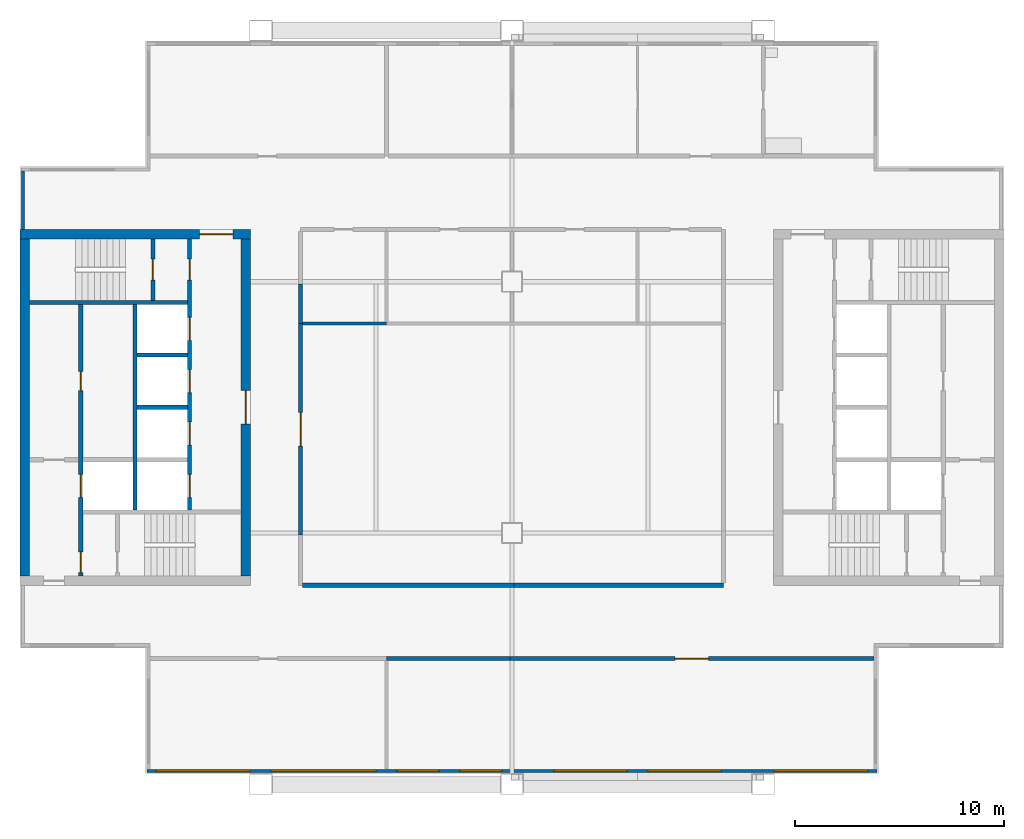
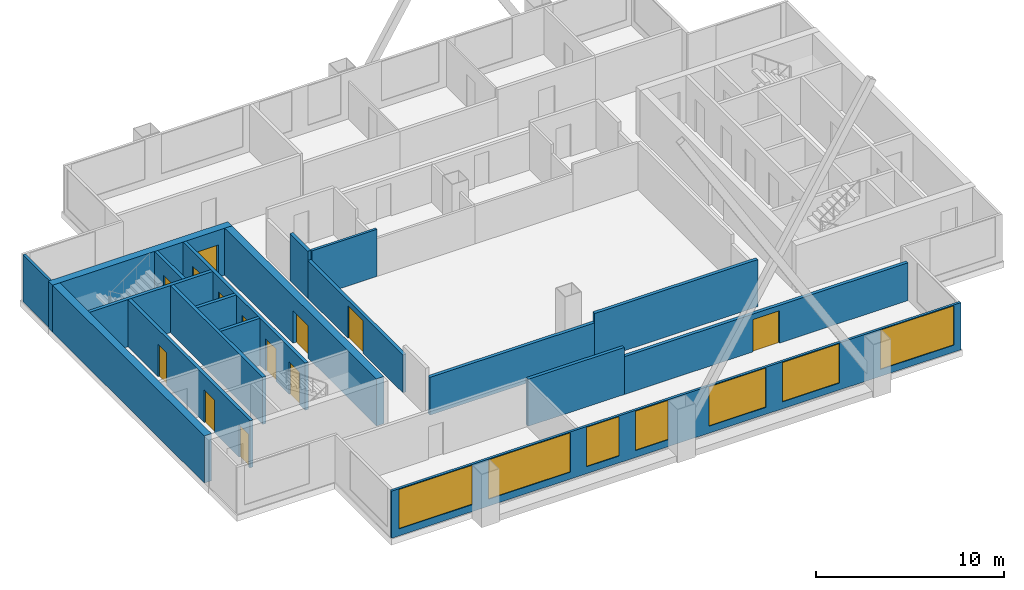
# One storey, part 2 of 7: 19 walls, 13 doors, 7 windows, 20 openings.
"""IFC4 building model written with IfcOpenShell, lengths in metres."""

from ifc_helpers import new_model, si_unit, direction, frame, frame_2d, origin, place, context, subcontext, project, spatial, rectangle, extrude, material, layer, layer_set, type_object, element, fill, save


model = new_model("IFC4")

# Units and contexts
model_context = context("Model", 3, precision=1e-05, world=origin(), true_north=direction((0.0, 1.0)))
body_context = subcontext(model_context, "Body", "Model", "MODEL_VIEW")
ifc_project = project(units=[si_unit("LENGTHUNIT", "METRE"), si_unit("AREAUNIT", "SQUARE_METRE"), si_unit("VOLUMEUNIT", "CUBIC_METRE"), si_unit("PLANEANGLEUNIT", "RADIAN"), si_unit("MASSUNIT", "GRAM", prefix="KILO")], contexts=[model_context])

# Site, building, storey
site_placement = place(None, origin())
site = spatial("IfcSite", under=ifc_project, at=site_placement, CompositionType="ELEMENT")
building_placement = place(site_placement, origin())
building = spatial("IfcBuilding", under=site, at=building_placement, Name="Kitamizu Gate Tower and Museum", CompositionType="ELEMENT")
storey_placement = place(building_placement, frame((0.0, 0.0, 238.64990234375)))
storey = spatial("IfcBuildingStorey", under=building, at=storey_placement, Name="L64", CompositionType="ELEMENT", Elevation=238.64990234375)

# Wall, opening, door
ifc_material_1 = material(Name="Concrete Fc42", Category="concrete")
ifc_layer_1 = layer(ifc_material_1, 0.449951171875)
ifc_layer_set_1 = layer_set([ifc_layer_1], Name="Concrete Fc42")
wall_type_1 = type_object("IfcWallType", Name="Core wall 450", PredefinedType="SHEAR", material=ifc_layer_set_1)
wall_1_placement = place(storey_placement, frame((12.5, 38.27490234375, 0.0), z_axis=(0.0, 0.0, 1.0), x_axis=(1.0, 0.0, 0.0)))
wall_1 = element("IfcWall", 1, at=wall_1_placement, inside=storey, type_object=wall_type_1, Name="Core wall WN", PredefinedType="SHEAR", context=body_context, shape_type="SweptSolid", body=[
    extrude(rectangle(XDim=11.0, YDim=0.449951171875, at=frame_2d((5.5, 0.0))), origin(), (0.0, 0.0, 1.0), 3.050048828125),
])
opening_1_placement = place(wall_1_placement, frame((8.574951171875, 0.0, 0.0)))
opening_1 = element("IfcOpeningElement", 2, at=opening_1_placement, cuts=wall_1, Name="Opening L64-019", PredefinedType="OPENING", context=body_context, shape_type="SweptSolid", body=[
    extrude(rectangle(XDim=1.60009765625, YDim=2.10009765625, at=frame_2d((0.800048828125, 1.050048828125))), frame((0.0, 0.23486328125, 0.0), z_axis=(0.0, -1.0, 0.0), x_axis=(1.0, 0.0, 0.0)), (0.0, 0.0, 1.0), 0.469970703125),
])
ifc_material_2 = material(Name="Timber door set", Category="wood")
door_type_1 = type_object("IfcDoorType", Name="Entrance door 1600", OperationType="DOUBLE_DOOR_SINGLE_SWING", PredefinedType="DOOR", material=ifc_material_2)
door_1_placement = place(opening_1_placement, origin())
door_1 = element("IfcDoor", 3, at=door_1_placement, inside=storey, type_object=door_type_1, Name="Lobby door L64-019", OperationType="DOUBLE_DOOR_SINGLE_SWING", OverallHeight=2.10009765625, OverallWidth=1.60009765625, PredefinedType="DOOR", context=body_context, shape_type="SweptSolid", body=[
    extrude(rectangle(XDim=1.60009765625, YDim=2.10009765625, at=frame_2d((0.800048828125, 1.050048828125))), frame((0.0, 0.02490234375, 0.0), z_axis=(0.0, -1.0, 0.0), x_axis=(1.0, 0.0, 0.0)), (0.0, 0.0, 1.0), 0.050048828125),
])
fill(opening_1, door_1)

# Wall
wall_2_placement = place(storey_placement, frame((12.72509765625, 21.949951171875, 0.0), z_axis=(0.0, 0.0, 1.0), x_axis=(0.0, 1.0, 0.0)))
element("IfcWall", 4, at=wall_2_placement, inside=storey, type_object=wall_type_1, Name="Core wall WOUT", PredefinedType="SHEAR", context=body_context, shape_type="SweptSolid", body=[
    extrude(rectangle(XDim=16.10009765625, YDim=0.449951171875, at=frame_2d((8.050048828125, 0.0))), origin(), (0.0, 0.0, 1.0), 3.050048828125),
])

# Wall, opening, door
wall_3_placement = place(storey_placement, frame((23.27490234375, 21.949951171875, 0.0), z_axis=(0.0, 0.0, 1.0), x_axis=(0.0, 1.0, 0.0)))
wall_3 = element("IfcWall", 5, at=wall_3_placement, inside=storey, type_object=wall_type_1, Name="Core wall WARC", PredefinedType="SHEAR", context=body_context, shape_type="SweptSolid", body=[
    extrude(rectangle(XDim=16.10009765625, YDim=0.449951171875, at=frame_2d((8.050048828125, 0.0))), origin(), (0.0, 0.0, 1.0), 3.050048828125),
])
opening_2_placement = place(wall_3_placement, frame((7.25, 0.0, 0.0)))
opening_2 = element("IfcOpeningElement", 6, at=opening_2_placement, cuts=wall_3, Name="Opening L64-020", PredefinedType="OPENING", context=body_context, shape_type="SweptSolid", body=[
    extrude(rectangle(XDim=1.60009765625, YDim=2.10009765625, at=frame_2d((0.800048828125, 1.050048828125))), frame((0.0, 0.23486328125, 0.0), z_axis=(0.0, -1.0, 0.0), x_axis=(1.0, 0.0, 0.0)), (0.0, 0.0, 1.0), 0.469970703125),
])
door_2_placement = place(opening_2_placement, origin())
door_2 = element("IfcDoor", 7, at=door_2_placement, inside=storey, type_object=door_type_1, Name="Lobby door L64-020", OperationType="DOUBLE_DOOR_SINGLE_SWING", OverallHeight=2.10009765625, OverallWidth=1.60009765625, PredefinedType="DOOR", context=body_context, shape_type="SweptSolid", body=[
    extrude(rectangle(XDim=1.60009765625, YDim=2.10009765625, at=frame_2d((0.800048828125, 1.050048828125))), frame((0.0, 0.02490234375, 0.0), z_axis=(0.0, -1.0, 0.0), x_axis=(1.0, 0.0, 0.0)), (0.0, 0.0, 1.0), 0.050048828125),
])
fill(opening_2, door_2)

# Wall
ifc_material_3 = material(Name="Gypsum board on galvanised stud")
ifc_layer_2 = layer(ifc_material_3, 0.14990234375)
ifc_layer_set_2 = layer_set([ifc_layer_2], Name="Gypsum board on galvanised stud")
wall_type_2 = type_object("IfcWallType", Name="Partition 150", PredefinedType="PARTITIONING", material=ifc_layer_set_2)
wall_4_placement = place(storey_placement, frame((30.0, 34.0, 0.0), z_axis=(0.0, 0.0, 1.0), x_axis=(-1.0, 0.0, 0.0)))
element("IfcWall", 8, at=wall_4_placement, inside=storey, type_object=wall_type_2, Name="Partition L64-028", PredefinedType="PARTITIONING", context=body_context, shape_type="SweptSolid", body=[
    extrude(rectangle(XDim=4.0, YDim=0.14990234375, at=frame_2d((2.0, 0.0))), origin(), (0.0, 0.0, 1.0), 3.050048828125),
])

# Wall, opening, door
ifc_material_4 = material(Name="Gypsum board on galvanised stud")
ifc_layer_3 = layer(ifc_material_4, 0.199951171875)
ifc_layer_set_3 = layer_set([ifc_layer_3], Name="Gypsum board on galvanised stud")
wall_type_3 = type_object("IfcWallType", Name="Partition 200", PredefinedType="PARTITIONING", material=ifc_layer_set_3)
wall_5_placement = place(storey_placement, frame((53.280029296875, 18.0, 0.0), z_axis=(0.0, 0.0, 1.0), x_axis=(-1.0, 0.0, 0.0)))
wall_5 = element("IfcWall", 9, at=wall_5_placement, inside=storey, type_object=wall_type_3, Name="Partition L64-012", PredefinedType="PARTITIONING", context=body_context, shape_type="SweptSolid", body=[
    extrude(rectangle(XDim=17.380126953125, YDim=0.199951171875, at=frame_2d((8.68994140625, 0.0))), origin(), (0.0, 0.0, 1.0), 2.4501953125),
])
opening_3_placement = place(wall_5_placement, frame((7.889892578125, 0.0, 0.0)))
opening_3 = element("IfcOpeningElement", 10, at=opening_3_placement, cuts=wall_5, Name="Opening L64-007", PredefinedType="OPENING", context=body_context, shape_type="SweptSolid", body=[
    extrude(rectangle(XDim=1.60009765625, YDim=2.10009765625, at=frame_2d((0.800048828125, 1.050048828125))), frame((0.0, 0.10986328125, 0.0), z_axis=(0.0, -1.0, 0.0), x_axis=(1.0, 0.0, 0.0)), (0.0, 0.0, 1.0), 0.219970703125),
])
ifc_material_5 = material(Name="Timber door set", Category="wood")
door_type_2 = type_object("IfcDoorType", Name="Double door 1600", OperationType="DOUBLE_DOOR_SINGLE_SWING", PredefinedType="DOOR", material=ifc_material_5)
door_3_placement = place(opening_3_placement, origin())
door_3 = element("IfcDoor", 11, at=door_3_placement, inside=storey, type_object=door_type_2, Name="Double door L64-007", OperationType="DOUBLE_DOOR_SINGLE_SWING", OverallHeight=2.10009765625, OverallWidth=1.60009765625, PredefinedType="DOOR", context=body_context, shape_type="SweptSolid", body=[
    extrude(rectangle(XDim=1.60009765625, YDim=2.10009765625, at=frame_2d((0.800048828125, 1.050048828125))), frame((0.0, 0.02490234375, 0.0), z_axis=(0.0, -1.0, 0.0), x_axis=(1.0, 0.0, 0.0)), (0.0, 0.0, 1.0), 0.050048828125),
])
fill(opening_3, door_3)

# Wall
wall_6_placement = place(storey_placement, frame((35.89990234375, 18.0, 0.0), z_axis=(0.0, 0.0, 1.0), x_axis=(-1.0, 0.0, 0.0)))
element("IfcWall", 12, at=wall_6_placement, inside=storey, type_object=wall_type_3, Name="Partition L64-013", PredefinedType="PARTITIONING", context=body_context, shape_type="SweptSolid", body=[
    extrude(rectangle(XDim=5.89990234375, YDim=0.199951171875, at=frame_2d((2.949951171875, 0.0))), origin(), (0.0, 0.0, 1.0), 3.050048828125),
])

# Wall, opening, door
wall_7_placement = place(storey_placement, frame((25.89990234375, 34.0, 0.0), z_axis=(0.0, 0.0, 1.0), x_axis=(0.0, -1.0, 0.0)))
wall_7 = element("IfcWall", 13, at=wall_7_placement, inside=storey, type_object=wall_type_3, Name="Partition L64-014", PredefinedType="PARTITIONING", context=body_context, shape_type="SweptSolid", body=[
    extrude(rectangle(XDim=10.10009765625, YDim=0.199951171875, at=frame_2d((5.050048828125, 0.0))), origin(), (0.0, 0.0, 1.0), 2.4501953125),
])
opening_4_placement = place(wall_7_placement, frame((4.25, 0.0, 0.0)))
opening_4 = element("IfcOpeningElement", 14, at=opening_4_placement, cuts=wall_7, Name="Opening L64-008", PredefinedType="OPENING", context=body_context, shape_type="SweptSolid", body=[
    extrude(rectangle(XDim=1.60009765625, YDim=2.10009765625, at=frame_2d((0.800048828125, 1.050048828125))), frame((0.0, 0.10986328125, 0.0), z_axis=(0.0, -1.0, 0.0), x_axis=(1.0, 0.0, 0.0)), (0.0, 0.0, 1.0), 0.219970703125),
])
door_4_placement = place(opening_4_placement, origin())
door_4 = element("IfcDoor", 15, at=door_4_placement, inside=storey, type_object=door_type_2, Name="Double door L64-008", OperationType="DOUBLE_DOOR_SINGLE_SWING", OverallHeight=2.10009765625, OverallWidth=1.60009765625, PredefinedType="DOOR", context=body_context, shape_type="SweptSolid", body=[
    extrude(rectangle(XDim=1.60009765625, YDim=2.10009765625, at=frame_2d((0.800048828125, 1.050048828125))), frame((0.0, 0.02490234375, 0.0), z_axis=(0.0, -1.0, 0.0), x_axis=(1.0, 0.0, 0.0)), (0.0, 0.0, 1.0), 0.050048828125),
])
fill(opening_4, door_4)

# Walls
wall_8_placement = place(storey_placement, frame((26.0, 21.5, 0.0), z_axis=(0.0, 0.0, 1.0), x_axis=(1.0, 0.0, 0.0)))
element("IfcWall", 16, at=wall_8_placement, inside=storey, type_object=wall_type_3, Name="Partition L64-016", PredefinedType="PARTITIONING", context=body_context, shape_type="SweptSolid", body=[
    extrude(rectangle(XDim=10.10009765625, YDim=0.199951171875, at=frame_2d((5.050048828125, 0.0))), origin(), (0.0, 0.0, 1.0), 2.4501953125),
])
wall_9_placement = place(storey_placement, frame((36.10009765625, 21.5, 0.0), z_axis=(0.0, 0.0, 1.0), x_axis=(1.0, 0.0, 0.0)))
element("IfcWall", 17, at=wall_9_placement, inside=storey, type_object=wall_type_3, Name="Partition L64-017", PredefinedType="PARTITIONING", context=body_context, shape_type="SweptSolid", body=[
    extrude(rectangle(XDim=10.0, YDim=0.199951171875, at=frame_2d((5.0, 0.0))), origin(), (0.0, 0.0, 1.0), 3.050048828125),
])
wall_10_placement = place(storey_placement, frame((25.89990234375, 35.89990234375, 0.0), z_axis=(0.0, 0.0, 1.0), x_axis=(0.0, -1.0, 0.0)))
element("IfcWall", 18, at=wall_10_placement, inside=storey, type_object=wall_type_3, Name="Partition L64-022", PredefinedType="PARTITIONING", context=body_context, shape_type="SweptSolid", body=[
    extrude(rectangle(XDim=1.89990234375, YDim=0.199951171875, at=frame_2d((0.949951171875, 0.0))), origin(), (0.0, 0.0, 1.0), 3.050048828125),
])

# Wall, openings, doors
ifc_material_6 = material(Name="Concrete Fc42", Category="concrete")
ifc_layer_4 = layer(ifc_material_6, 0.199951171875)
ifc_layer_set_4 = layer_set([ifc_layer_4], Name="Concrete Fc42")
wall_type_4 = type_object("IfcWallType", Name="Shaft wall 200", PredefinedType="SOLIDWALL", material=ifc_layer_set_4)
wall_11_placement = place(storey_placement, frame((15.39990234375, 21.949951171875, 0.0), z_axis=(0.0, 0.0, 1.0), x_axis=(0.0, 1.0, 0.0)))
wall_11 = element("IfcWall", 19, at=wall_11_placement, inside=storey, type_object=wall_type_4, Name="Shaft wall WWEST", PredefinedType="SOLIDWALL", context=body_context, shape_type="SweptSolid", body=[
    extrude(rectangle(XDim=12.949951171875, YDim=0.199951171875, at=frame_2d((6.47509765625, 0.0))), origin(), (0.0, 0.0, 1.0), 3.050048828125),
])
opening_5_placement = place(wall_11_placement, frame((3.75, 0.0, 0.0)))
opening_5 = element("IfcOpeningElement", 20, at=opening_5_placement, cuts=wall_11, Name="Opening LD", PredefinedType="OPENING", context=body_context, shape_type="SweptSolid", body=[
    extrude(rectangle(XDim=1.10009765625, YDim=2.10009765625, at=frame_2d((0.550048828125, 1.050048828125))), frame((0.0, 0.10986328125, 0.0), z_axis=(0.0, -1.0, 0.0), x_axis=(1.0, 0.0, 0.0)), (0.0, 0.0, 1.0), 0.219970703125),
])
opening_6_placement = place(wall_11_placement, frame((0.14990234375, 0.0, 0.0)))
opening_6 = element("IfcOpeningElement", 21, at=opening_6_placement, cuts=wall_11, Name="Opening L64-014", PredefinedType="OPENING", context=body_context, shape_type="SweptSolid", body=[
    extrude(rectangle(XDim=1.0, YDim=2.10009765625, at=frame_2d((0.5, 1.050048828125))), frame((0.0, 0.10986328125, 0.0), z_axis=(0.0, -1.0, 0.0), x_axis=(1.0, 0.0, 0.0)), (0.0, 0.0, 1.0), 0.219970703125),
])
opening_7_placement = place(wall_11_placement, frame((8.85009765625, 0.0, 0.0)))
opening_7 = element("IfcOpeningElement", 22, at=opening_7_placement, cuts=wall_11, Name="Opening L64-021", PredefinedType="OPENING", context=body_context, shape_type="SweptSolid", body=[
    extrude(rectangle(XDim=0.89990234375, YDim=2.10009765625, at=frame_2d((0.449951171875, 1.050048828125))), frame((0.0, 0.10986328125, 0.0), z_axis=(0.0, -1.0, 0.0), x_axis=(1.0, 0.0, 0.0)), (0.0, 0.0, 1.0), 0.219970703125),
])
ifc_material_7 = material(Name="Hollow metal door set")
door_type_3 = type_object("IfcDoorType", Name="Fire door 1000", OperationType="NOTDEFINED", PredefinedType="DOOR", material=ifc_material_7)
door_5_placement = place(opening_6_placement, frame((1.0, 0.0, 0.0), x_axis=(-1.0, 0.0, 0.0)))
door_5 = element("IfcDoor", 23, at=door_5_placement, inside=storey, type_object=door_type_3, Name="Stair lobby door L64-014", OperationType="SINGLE_SWING_LEFT", OverallHeight=2.10009765625, OverallWidth=1.0, PredefinedType="DOOR", context=body_context, shape_type="SweptSolid", body=[
    extrude(rectangle(XDim=1.0, YDim=2.10009765625, at=frame_2d((0.5, 1.050048828125))), frame((0.0, 0.02490234375, 0.0), z_axis=(0.0, -1.0, 0.0), x_axis=(1.0, 0.0, 0.0)), (0.0, 0.0, 1.0), 0.050048828125),
])
fill(opening_6, door_5)
ifc_material_8 = material(Name="Hollow metal door set")
door_type_4 = type_object("IfcDoorType", Name="Landing door 1100", OperationType="SLIDING_TO_LEFT", PredefinedType="DOOR", material=ifc_material_8)
door_6_placement = place(opening_5_placement, origin())
door_6 = element("IfcDoor", 24, at=door_6_placement, inside=storey, type_object=door_type_4, Name="Landing door WFF1", OperationType="SLIDING_TO_LEFT", OverallHeight=2.10009765625, OverallWidth=1.10009765625, PredefinedType="DOOR", context=body_context, shape_type="SweptSolid", body=[
    extrude(rectangle(XDim=1.10009765625, YDim=2.10009765625, at=frame_2d((0.550048828125, 1.050048828125))), frame((0.0, 0.02490234375, 0.0), z_axis=(0.0, -1.0, 0.0), x_axis=(1.0, 0.0, 0.0)), (0.0, 0.0, 1.0), 0.050048828125),
])
fill(opening_5, door_6)
ifc_material_9 = material(Name="Timber door set", Category="wood")
door_type_5 = type_object("IfcDoorType", Name="Service door 900", OperationType="NOTDEFINED", PredefinedType="DOOR", material=ifc_material_9)
door_7_placement = place(opening_7_placement, frame((0.89990234375, 0.0, 0.0), x_axis=(-1.0, 0.0, 0.0)))
door_7 = element("IfcDoor", 25, at=door_7_placement, inside=storey, type_object=door_type_5, Name="Service door L64-021", OperationType="SINGLE_SWING_LEFT", OverallHeight=2.10009765625, OverallWidth=0.89990234375, PredefinedType="DOOR", context=body_context, shape_type="SweptSolid", body=[
    extrude(rectangle(XDim=0.89990234375, YDim=2.10009765625, at=frame_2d((0.449951171875, 1.050048828125))), frame((0.0, 0.02490234375, 0.0), z_axis=(0.0, -1.0, 0.0), x_axis=(1.0, 0.0, 0.0)), (0.0, 0.0, 1.0), 0.050048828125),
])
fill(opening_7, door_7)

wall_12_placement = place(storey_placement, frame((20.60009765625, 25.10009765625, 0.0), z_axis=(0.0, 0.0, 1.0), x_axis=(0.0, 1.0, 0.0)))
wall_12 = element("IfcWall", 26, at=wall_12_placement, inside=storey, type_object=wall_type_4, Name="Shaft wall WEAST", PredefinedType="SOLIDWALL", context=body_context, shape_type="SweptSolid", body=[
    extrude(rectangle(XDim=12.949951171875, YDim=0.199951171875, at=frame_2d((6.47509765625, 0.0))), origin(), (0.0, 0.0, 1.0), 3.050048828125),
])
opening_8_placement = place(wall_12_placement, frame((0.60009765625, 0.0, 0.0)))
opening_8 = element("IfcOpeningElement", 27, at=opening_8_placement, cuts=wall_12, Name="Opening LD", PredefinedType="OPENING", context=body_context, shape_type="SweptSolid", body=[
    extrude(rectangle(XDim=1.10009765625, YDim=2.10009765625, at=frame_2d((0.550048828125, 1.050048828125))), frame((0.0, 0.10986328125, 0.0), z_axis=(0.0, -1.0, 0.0), x_axis=(1.0, 0.0, 0.0)), (0.0, 0.0, 1.0), 0.219970703125),
])
opening_9_placement = place(wall_12_placement, frame((3.10009765625, 0.0, 0.0)))
opening_9 = element("IfcOpeningElement", 28, at=opening_9_placement, cuts=wall_12, Name="Opening LD", PredefinedType="OPENING", context=body_context, shape_type="SweptSolid", body=[
    extrude(rectangle(XDim=1.10009765625, YDim=2.10009765625, at=frame_2d((0.550048828125, 1.050048828125))), frame((0.0, 0.10986328125, 0.0), z_axis=(0.0, -1.0, 0.0), x_axis=(1.0, 0.0, 0.0)), (0.0, 0.0, 1.0), 0.219970703125),
])
opening_10_placement = place(wall_12_placement, frame((5.60009765625, 0.0, 0.0)))
opening_10 = element("IfcOpeningElement", 29, at=opening_10_placement, cuts=wall_12, Name="Opening LD", PredefinedType="OPENING", context=body_context, shape_type="SweptSolid", body=[
    extrude(rectangle(XDim=1.10009765625, YDim=2.10009765625, at=frame_2d((0.550048828125, 1.050048828125))), frame((0.0, 0.10986328125, 0.0), z_axis=(0.0, -1.0, 0.0), x_axis=(1.0, 0.0, 0.0)), (0.0, 0.0, 1.0), 0.219970703125),
])
opening_11_placement = place(wall_12_placement, frame((8.10009765625, 0.0, 0.0)))
opening_11 = element("IfcOpeningElement", 30, at=opening_11_placement, cuts=wall_12, Name="Opening LD", PredefinedType="OPENING", context=body_context, shape_type="SweptSolid", body=[
    extrude(rectangle(XDim=1.10009765625, YDim=2.10009765625, at=frame_2d((0.550048828125, 1.050048828125))), frame((0.0, 0.10986328125, 0.0), z_axis=(0.0, -1.0, 0.0), x_axis=(1.0, 0.0, 0.0)), (0.0, 0.0, 1.0), 0.219970703125),
])
opening_12_placement = place(wall_12_placement, frame((10.97509765625, 0.0, 0.0)))
opening_12 = element("IfcOpeningElement", 31, at=opening_12_placement, cuts=wall_12, Name="Opening L64-015", PredefinedType="OPENING", context=body_context, shape_type="SweptSolid", body=[
    extrude(rectangle(XDim=1.0, YDim=2.10009765625, at=frame_2d((0.5, 1.050048828125))), frame((0.0, 0.10986328125, 0.0), z_axis=(0.0, -1.0, 0.0), x_axis=(1.0, 0.0, 0.0)), (0.0, 0.0, 1.0), 0.219970703125),
])
door_8_placement = place(opening_12_placement, origin())
door_8 = element("IfcDoor", 32, at=door_8_placement, inside=storey, type_object=door_type_3, Name="Stair lobby door L64-015", OperationType="SINGLE_SWING_RIGHT", OverallHeight=2.10009765625, OverallWidth=1.0, PredefinedType="DOOR", context=body_context, shape_type="SweptSolid", body=[
    extrude(rectangle(XDim=1.0, YDim=2.10009765625, at=frame_2d((0.5, 1.050048828125))), frame((0.0, 0.02490234375, 0.0), z_axis=(0.0, -1.0, 0.0), x_axis=(1.0, 0.0, 0.0)), (0.0, 0.0, 1.0), 0.050048828125),
])
fill(opening_12, door_8)
door_9_placement = place(opening_8_placement, origin())
door_9 = element("IfcDoor", 33, at=door_9_placement, inside=storey, type_object=door_type_4, Name="Landing door WSV1", OperationType="SLIDING_TO_LEFT", OverallHeight=2.10009765625, OverallWidth=1.10009765625, PredefinedType="DOOR", context=body_context, shape_type="SweptSolid", body=[
    extrude(rectangle(XDim=1.10009765625, YDim=2.10009765625, at=frame_2d((0.550048828125, 1.050048828125))), frame((0.0, 0.02490234375, 0.0), z_axis=(0.0, -1.0, 0.0), x_axis=(1.0, 0.0, 0.0)), (0.0, 0.0, 1.0), 0.050048828125),
])
fill(opening_8, door_9)
door_10_placement = place(opening_9_placement, origin())
door_10 = element("IfcDoor", 34, at=door_10_placement, inside=storey, type_object=door_type_4, Name="Landing door WH1", OperationType="SLIDING_TO_LEFT", OverallHeight=2.10009765625, OverallWidth=1.10009765625, PredefinedType="DOOR", context=body_context, shape_type="SweptSolid", body=[
    extrude(rectangle(XDim=1.10009765625, YDim=2.10009765625, at=frame_2d((0.550048828125, 1.050048828125))), frame((0.0, 0.02490234375, 0.0), z_axis=(0.0, -1.0, 0.0), x_axis=(1.0, 0.0, 0.0)), (0.0, 0.0, 1.0), 0.050048828125),
])
fill(opening_9, door_10)
door_11_placement = place(opening_10_placement, origin())
door_11 = element("IfcDoor", 35, at=door_11_placement, inside=storey, type_object=door_type_4, Name="Landing door WH2", OperationType="SLIDING_TO_LEFT", OverallHeight=2.10009765625, OverallWidth=1.10009765625, PredefinedType="DOOR", context=body_context, shape_type="SweptSolid", body=[
    extrude(rectangle(XDim=1.10009765625, YDim=2.10009765625, at=frame_2d((0.550048828125, 1.050048828125))), frame((0.0, 0.02490234375, 0.0), z_axis=(0.0, -1.0, 0.0), x_axis=(1.0, 0.0, 0.0)), (0.0, 0.0, 1.0), 0.050048828125),
])
fill(opening_10, door_11)
door_12_placement = place(opening_11_placement, origin())
door_12 = element("IfcDoor", 36, at=door_12_placement, inside=storey, type_object=door_type_4, Name="Landing door WH3", OperationType="SLIDING_TO_LEFT", OverallHeight=2.10009765625, OverallWidth=1.10009765625, PredefinedType="DOOR", context=body_context, shape_type="SweptSolid", body=[
    extrude(rectangle(XDim=1.10009765625, YDim=2.10009765625, at=frame_2d((0.550048828125, 1.050048828125))), frame((0.0, 0.02490234375, 0.0), z_axis=(0.0, -1.0, 0.0), x_axis=(1.0, 0.0, 0.0)), (0.0, 0.0, 1.0), 0.050048828125),
])
fill(opening_11, door_12)

# Walls
wall_13_placement = place(storey_placement, frame((18.0, 25.10009765625, 0.0), z_axis=(0.0, 0.0, 1.0), x_axis=(0.0, 1.0, 0.0)))
element("IfcWall", 37, at=wall_13_placement, inside=storey, type_object=wall_type_4, Name="Shaft wall WMID", PredefinedType="SOLIDWALL", context=body_context, shape_type="SweptSolid", body=[
    extrude(rectangle(XDim=9.7998046875, YDim=0.199951171875, at=frame_2d((4.89990234375, 0.0))), origin(), (0.0, 0.0, 1.0), 3.050048828125),
])
wall_14_placement = place(storey_placement, frame((12.949951171875, 35.0, 0.0), z_axis=(0.0, 0.0, 1.0), x_axis=(1.0, 0.0, 0.0)))
element("IfcWall", 38, at=wall_14_placement, inside=storey, type_object=wall_type_4, Name="Shaft wall WNB", PredefinedType="SOLIDWALL", context=body_context, shape_type="SweptSolid", body=[
    extrude(rectangle(XDim=7.550048828125, YDim=0.199951171875, at=frame_2d((3.77490234375, 0.0))), origin(), (0.0, 0.0, 1.0), 3.050048828125),
])

# Wall, opening, door
wall_15_placement = place(storey_placement, frame((18.85009765625, 35.10009765625, 0.0), z_axis=(0.0, 0.0, 1.0), x_axis=(0.0, 1.0, 0.0)))
wall_15 = element("IfcWall", 39, at=wall_15_placement, inside=storey, type_object=wall_type_4, Name="Shaft wall WNZ", PredefinedType="SOLIDWALL", context=body_context, shape_type="SweptSolid", body=[
    extrude(rectangle(XDim=2.949951171875, YDim=0.199951171875, at=frame_2d((1.47509765625, 0.0))), origin(), (0.0, 0.0, 1.0), 3.050048828125),
])
opening_13_placement = place(wall_15_placement, frame((0.97509765625, 0.0, 0.0)))
opening_13 = element("IfcOpeningElement", 40, at=opening_13_placement, cuts=wall_15, Name="Opening L64-016", PredefinedType="OPENING", context=body_context, shape_type="SweptSolid", body=[
    extrude(rectangle(XDim=1.0, YDim=2.10009765625, at=frame_2d((0.5, 1.050048828125))), frame((0.0, 0.10986328125, 0.0), z_axis=(0.0, -1.0, 0.0), x_axis=(1.0, 0.0, 0.0)), (0.0, 0.0, 1.0), 0.219970703125),
])
door_13_placement = place(opening_13_placement, origin())
door_13 = element("IfcDoor", 41, at=door_13_placement, inside=storey, type_object=door_type_3, Name="Stair door L64-016", OperationType="SINGLE_SWING_LEFT", OverallHeight=2.10009765625, OverallWidth=1.0, PredefinedType="DOOR", context=body_context, shape_type="SweptSolid", body=[
    extrude(rectangle(XDim=1.0, YDim=2.10009765625, at=frame_2d((0.5, 1.050048828125))), frame((0.0, 0.02490234375, 0.0), z_axis=(0.0, -1.0, 0.0), x_axis=(1.0, 0.0, 0.0)), (0.0, 0.0, 1.0), 0.050048828125),
])
fill(opening_13, door_13)

# Walls
for number, where, z_axis, x_axis, name in (
    (42, (18.10009765625, 30.0, 0.0), (0.0, 0.0, 1.0), (1.0, 0.0, 0.0), "Shaft wall WDVE1"),
    (43, (18.10009765625, 32.5, 0.0), (0.0, 0.0, 1.0), (1.0, 0.0, 0.0), "Shaft wall WDVE2"),
):
    element("IfcWall", number, at=place(storey_placement, frame(where, z_axis=z_axis, x_axis=x_axis)), inside=storey, type_object=wall_type_4, Name=name, PredefinedType="SOLIDWALL", context=body_context, shape_type="SweptSolid", body=[
        extrude(rectangle(XDim=2.39990234375, YDim=0.199951171875, at=frame_2d((1.199951171875, 0.0))), origin(), (0.0, 0.0, 1.0), 3.050048828125),
    ])

# Wall, openings, windows
ifc_material_10 = material(Name="Bronze anodised aluminium frame with insulated spandrel and tinted glass", Category="aluminium")
ifc_layer_5 = layer(ifc_material_10, 0.14990234375)
ifc_layer_set_5 = layer_set([ifc_layer_5], Name="Bronze anodised aluminium frame with insulated spandrel and tinted glass")
wall_type_5 = type_object("IfcWallType", Name="WINDOW WALL 150 BRONZE FRAME EI 30", PredefinedType="ELEMENTEDWALL", material=ifc_layer_set_5)
wall_16_placement = place(storey_placement, frame((18.56005859375, 12.635009765625, 0.0), z_axis=(0.0, 0.0, 1.0), x_axis=(1.0, 0.0, 0.0)))
wall_16 = element("IfcWall", 44, at=wall_16_placement, inside=storey, type_object=wall_type_5, Name="Window wall south L64", PredefinedType="ELEMENTEDWALL", context=body_context, shape_type="SweptSolid", body=[
    extrude(rectangle(XDim=34.8798828125, YDim=0.14990234375, at=frame_2d((17.43994140625, 0.0))), origin(), (0.0, 0.0, 1.0), 3.050048828125),
])
opening_14_placement = place(wall_16_placement, frame((0.43994140625, 0.0, 0.449951171875)))
opening_14 = element("IfcOpeningElement", 45, at=opening_14_placement, cuts=wall_16, Name="Opening W15", PredefinedType="OPENING", context=body_context, shape_type="SweptSolid", body=[
    extrude(rectangle(XDim=4.5, YDim=2.550048828125, at=frame_2d((2.25, 1.27490234375))), frame((0.0, 0.0849609375, 0.0), z_axis=(0.0, -1.0, 0.0), x_axis=(1.0, 0.0, 0.0)), (0.0, 0.0, 1.0), 0.169921875),
])
opening_15_placement = place(wall_16_placement, frame((5.93994140625, 0.0, 0.449951171875)))
opening_15 = element("IfcOpeningElement", 46, at=opening_15_placement, cuts=wall_16, Name="Opening W1", PredefinedType="OPENING", context=body_context, shape_type="SweptSolid", body=[
    extrude(rectangle(XDim=5.0, YDim=2.550048828125, at=frame_2d((2.5, 1.27490234375))), frame((0.0, 0.0849609375, 0.0), z_axis=(0.0, -1.0, 0.0), x_axis=(1.0, 0.0, 0.0)), (0.0, 0.0, 1.0), 0.169921875),
])
opening_16_placement = place(wall_16_placement, frame((11.93994140625, 0.0, 0.449951171875)))
opening_16 = element("IfcOpeningElement", 47, at=opening_16_placement, cuts=wall_16, Name="Opening W2", PredefinedType="OPENING", context=body_context, shape_type="SweptSolid", body=[
    extrude(rectangle(XDim=2.0, YDim=2.550048828125, at=frame_2d((1.0, 1.27490234375))), frame((0.0, 0.0849609375, 0.0), z_axis=(0.0, -1.0, 0.0), x_axis=(1.0, 0.0, 0.0)), (0.0, 0.0, 1.0), 0.169921875),
])
opening_17_placement = place(wall_16_placement, frame((14.93994140625, 0.0, 0.449951171875)))
opening_17 = element("IfcOpeningElement", 48, at=opening_17_placement, cuts=wall_16, Name="Opening W2", PredefinedType="OPENING", context=body_context, shape_type="SweptSolid", body=[
    extrude(rectangle(XDim=2.0, YDim=2.550048828125, at=frame_2d((1.0, 1.27490234375))), frame((0.0, 0.0849609375, 0.0), z_axis=(0.0, -1.0, 0.0), x_axis=(1.0, 0.0, 0.0)), (0.0, 0.0, 1.0), 0.169921875),
])
opening_18_placement = place(wall_16_placement, frame((19.43994140625, 0.0, 0.449951171875)))
opening_18 = element("IfcOpeningElement", 49, at=opening_18_placement, cuts=wall_16, Name="Opening W35", PredefinedType="OPENING", context=body_context, shape_type="SweptSolid", body=[
    extrude(rectangle(XDim=3.5, YDim=2.550048828125, at=frame_2d((1.75, 1.27490234375))), frame((0.0, 0.0849609375, 0.0), z_axis=(0.0, -1.0, 0.0), x_axis=(1.0, 0.0, 0.0)), (0.0, 0.0, 1.0), 0.169921875),
])
opening_19_placement = place(wall_16_placement, frame((23.93994140625, 0.0, 0.449951171875)))
opening_19 = element("IfcOpeningElement", 50, at=opening_19_placement, cuts=wall_16, Name="Opening W35", PredefinedType="OPENING", context=body_context, shape_type="SweptSolid", body=[
    extrude(rectangle(XDim=3.5, YDim=2.550048828125, at=frame_2d((1.75, 1.27490234375))), frame((0.0, 0.0849609375, 0.0), z_axis=(0.0, -1.0, 0.0), x_axis=(1.0, 0.0, 0.0)), (0.0, 0.0, 1.0), 0.169921875),
])
opening_20_placement = place(wall_16_placement, frame((29.93994140625, 0.0, 0.449951171875)))
opening_20 = element("IfcOpeningElement", 51, at=opening_20_placement, cuts=wall_16, Name="Opening W15", PredefinedType="OPENING", context=body_context, shape_type="SweptSolid", body=[
    extrude(rectangle(XDim=4.5, YDim=2.550048828125, at=frame_2d((2.25, 1.27490234375))), frame((0.0, 0.0849609375, 0.0), z_axis=(0.0, -1.0, 0.0), x_axis=(1.0, 0.0, 0.0)), (0.0, 0.0, 1.0), 0.169921875),
])
ifc_material_11 = material(Name="Bronze anodised aluminium frame, tinted triple glazing", Category="aluminium")
window_type_1 = type_object("IfcWindowType", Name="WINDOW 2000 x 2550 SILL 450", PartitioningType="SINGLE_PANEL", PredefinedType="WINDOW", material=ifc_material_11)
window_1_placement = place(opening_16_placement, origin())
window_1 = element("IfcWindow", 52, at=window_1_placement, inside=storey, type_object=window_type_1, Name="Window W2 L64", OverallHeight=2.550048828125, OverallWidth=2.0, PartitioningType="SINGLE_PANEL", PredefinedType="WINDOW", context=body_context, shape_type="SweptSolid", body=[
    extrude(rectangle(XDim=2.0, YDim=2.550048828125, at=frame_2d((1.0, 1.27490234375))), frame((0.0, 0.030029296875, 0.0), z_axis=(0.0, -1.0, 0.0), x_axis=(1.0, 0.0, 0.0)), (0.0, 0.0, 1.0), 0.06005859375),
])
fill(opening_16, window_1)
window_2_placement = place(opening_17_placement, origin())
window_2 = element("IfcWindow", 53, at=window_2_placement, inside=storey, type_object=window_type_1, Name="Window W2 L64", OverallHeight=2.550048828125, OverallWidth=2.0, PartitioningType="SINGLE_PANEL", PredefinedType="WINDOW", context=body_context, shape_type="SweptSolid", body=[
    extrude(rectangle(XDim=2.0, YDim=2.550048828125, at=frame_2d((1.0, 1.27490234375))), frame((0.0, 0.030029296875, 0.0), z_axis=(0.0, -1.0, 0.0), x_axis=(1.0, 0.0, 0.0)), (0.0, 0.0, 1.0), 0.06005859375),
])
fill(opening_17, window_2)
ifc_material_12 = material(Name="Bronze anodised aluminium frame, tinted triple glazing", Category="aluminium")
window_type_2 = type_object("IfcWindowType", Name="WINDOW 3500 x 2550 SILL 450", PartitioningType="SINGLE_PANEL", PredefinedType="WINDOW", material=ifc_material_12)
window_3_placement = place(opening_18_placement, origin())
window_3 = element("IfcWindow", 54, at=window_3_placement, inside=storey, type_object=window_type_2, Name="Window W35 L64", OverallHeight=2.550048828125, OverallWidth=3.5, PartitioningType="SINGLE_PANEL", PredefinedType="WINDOW", context=body_context, shape_type="SweptSolid", body=[
    extrude(rectangle(XDim=3.5, YDim=2.550048828125, at=frame_2d((1.75, 1.27490234375))), frame((0.0, 0.030029296875, 0.0), z_axis=(0.0, -1.0, 0.0), x_axis=(1.0, 0.0, 0.0)), (0.0, 0.0, 1.0), 0.06005859375),
])
fill(opening_18, window_3)
window_4_placement = place(opening_19_placement, origin())
window_4 = element("IfcWindow", 55, at=window_4_placement, inside=storey, type_object=window_type_2, Name="Window W35 L64", OverallHeight=2.550048828125, OverallWidth=3.5, PartitioningType="SINGLE_PANEL", PredefinedType="WINDOW", context=body_context, shape_type="SweptSolid", body=[
    extrude(rectangle(XDim=3.5, YDim=2.550048828125, at=frame_2d((1.75, 1.27490234375))), frame((0.0, 0.030029296875, 0.0), z_axis=(0.0, -1.0, 0.0), x_axis=(1.0, 0.0, 0.0)), (0.0, 0.0, 1.0), 0.06005859375),
])
fill(opening_19, window_4)
ifc_material_13 = material(Name="Bronze anodised aluminium frame, tinted triple glazing", Category="aluminium")
window_type_3 = type_object("IfcWindowType", Name="WINDOW 4500 x 2550 SILL 450", PartitioningType="SINGLE_PANEL", PredefinedType="WINDOW", material=ifc_material_13)
window_5_placement = place(opening_14_placement, origin())
window_5 = element("IfcWindow", 56, at=window_5_placement, inside=storey, type_object=window_type_3, Name="Window W15 L64", OverallHeight=2.550048828125, OverallWidth=4.5, PartitioningType="SINGLE_PANEL", PredefinedType="WINDOW", context=body_context, shape_type="SweptSolid", body=[
    extrude(rectangle(XDim=4.5, YDim=2.550048828125, at=frame_2d((2.25, 1.27490234375))), frame((0.0, 0.030029296875, 0.0), z_axis=(0.0, -1.0, 0.0), x_axis=(1.0, 0.0, 0.0)), (0.0, 0.0, 1.0), 0.06005859375),
])
fill(opening_14, window_5)
window_6_placement = place(opening_20_placement, origin())
window_6 = element("IfcWindow", 57, at=window_6_placement, inside=storey, type_object=window_type_3, Name="Window W15 L64", OverallHeight=2.550048828125, OverallWidth=4.5, PartitioningType="SINGLE_PANEL", PredefinedType="WINDOW", context=body_context, shape_type="SweptSolid", body=[
    extrude(rectangle(XDim=4.5, YDim=2.550048828125, at=frame_2d((2.25, 1.27490234375))), frame((0.0, 0.030029296875, 0.0), z_axis=(0.0, -1.0, 0.0), x_axis=(1.0, 0.0, 0.0)), (0.0, 0.0, 1.0), 0.06005859375),
])
fill(opening_20, window_6)
ifc_material_14 = material(Name="Bronze anodised aluminium frame, tinted triple glazing", Category="aluminium")
window_type_4 = type_object("IfcWindowType", Name="WINDOW 5000 x 2550 SILL 450", PartitioningType="SINGLE_PANEL", PredefinedType="WINDOW", material=ifc_material_14)
window_7_placement = place(opening_15_placement, origin())
window_7 = element("IfcWindow", 58, at=window_7_placement, inside=storey, type_object=window_type_4, Name="Window W1 L64", OverallHeight=2.550048828125, OverallWidth=5.0, PartitioningType="SINGLE_PANEL", PredefinedType="WINDOW", context=body_context, shape_type="SweptSolid", body=[
    extrude(rectangle(XDim=5.0, YDim=2.550048828125, at=frame_2d((2.5, 1.27490234375))), frame((0.0, 0.030029296875, 0.0), z_axis=(0.0, -1.0, 0.0), x_axis=(1.0, 0.0, 0.0)), (0.0, 0.0, 1.0), 0.06005859375),
])
fill(opening_15, window_7)

# Wall
wall_17_placement = place(storey_placement, frame((12.635009765625, 38.5, 0.0), z_axis=(0.0, 0.0, 1.0), x_axis=(0.0, 1.0, 0.0)))
element("IfcWall", 59, at=wall_17_placement, inside=storey, type_object=wall_type_5, Name="Window wall west L64", PredefinedType="ELEMENTEDWALL", context=body_context, shape_type="SweptSolid", body=[
    extrude(rectangle(XDim=2.7900390625, YDim=0.14990234375, at=frame_2d((1.39501953125, 0.0))), origin(), (0.0, 0.0, 1.0), 3.050048828125),
])

save(model, "model.ifc")
